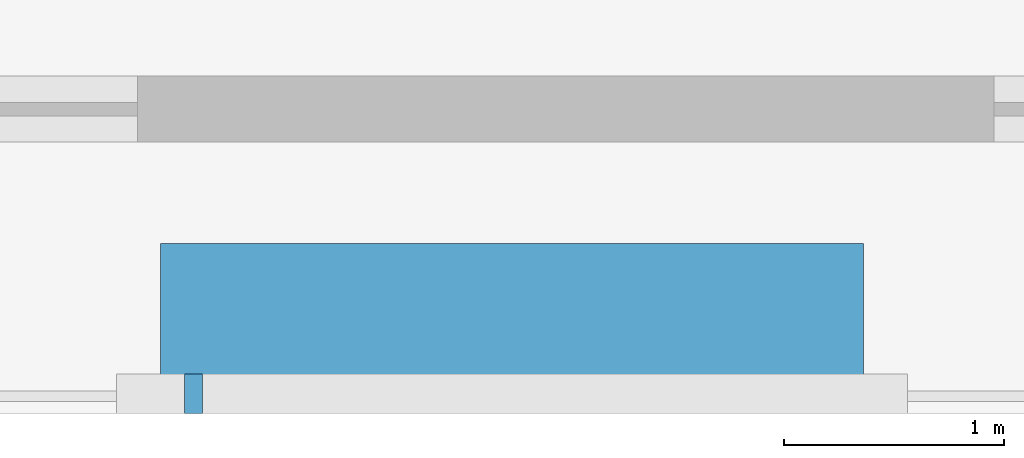
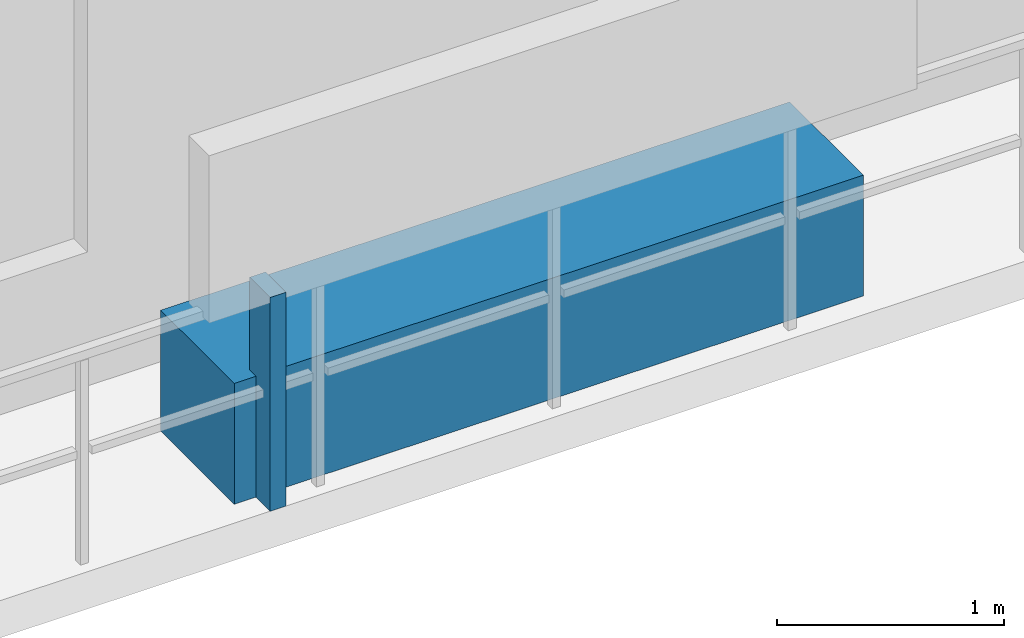
# One storey, part 30 of 35: 2 discrete accessories.
"""IFC4 building model written with IfcOpenShell, lengths in metres."""

from ifc_helpers import new_model, si_unit, direction, frame, origin, origin_2d, place, context, subcontext, project, spatial, rectangle, extrude, material, type_object, element, save


model = new_model("IFC4")

# Units and contexts
model_context = context("Model", 3, precision=1e-05, world=origin(), true_north=direction((0.0, 1.0)))
body_context = subcontext(model_context, "Body", "Model", "MODEL_VIEW")
ifc_project = project(units=[si_unit("LENGTHUNIT", "METRE"), si_unit("AREAUNIT", "SQUARE_METRE"), si_unit("VOLUMEUNIT", "CUBIC_METRE"), si_unit("PLANEANGLEUNIT", "RADIAN"), si_unit("MASSUNIT", "GRAM", prefix="KILO")], contexts=[model_context])

# Site, building, storey
site_placement = place(None, origin())
site = spatial("IfcSite", under=ifc_project, at=site_placement, CompositionType="ELEMENT")
building_placement = place(site_placement, origin())
building = spatial("IfcBuilding", under=site, at=building_placement, Name="Thornwick Lancets Civic Towers", CompositionType="ELEMENT")
storey_placement = place(building_placement, frame((0.0, 0.0, 272.699951171875)))
storey = spatial("IfcBuildingStorey", under=building, at=storey_placement, Name="L73", CompositionType="ELEMENT", Elevation=272.699951171875)

# Discrete accessories
ifc_material_1 = material(Name="Planted terracotta greenery planter", Category="masonry")
discrete_accessory_type_1 = type_object("IfcDiscreteAccessoryType", Name="ACC_PLANTER_BOX", PredefinedType="USERDEFINED", material=ifc_material_1)
discrete_accessory_1_placement = place(storey_placement, frame((25.5, 2.300048828125, 0.0), z_axis=(0.0, 0.0, 1.0), x_axis=(1.0, 0.0, 0.0)))
element("IfcDiscreteAccessory", 1, at=discrete_accessory_1_placement, inside=storey, type_object=discrete_accessory_type_1, Name="L73 Tower A Balcony Greenery Planter S", ObjectType="PLANTER", PredefinedType="USERDEFINED", context=body_context, shape_type="SweptSolid", body=[
    extrude(rectangle(XDim=3.199951171875, YDim=0.64990234375, at=origin_2d()), origin(), (0.0, 0.0, 1.0), 0.64990234375),
])
ifc_material_2 = material(Name="Stainless steel S355", Category="steel")
discrete_accessory_type_2 = type_object("IfcDiscreteAccessoryType", Name="ACC_SCREEN_BRACKET", PredefinedType="BRACKET", material=ifc_material_2)
discrete_accessory_2_placement = place(storey_placement, frame((24.050048828125, 1.93994140625, 0.0), z_axis=(0.0, 0.0, 1.0), x_axis=(1.0, 0.0, 0.0)))
element("IfcDiscreteAccessory", 2, at=discrete_accessory_2_placement, inside=storey, type_object=discrete_accessory_type_2, Name="L73 Tower A Balcony Screen Stanchion Bracket S-1", PredefinedType="BRACKET", context=body_context, shape_type="SweptSolid", body=[
    extrude(rectangle(XDim=0.080078125, YDim=0.179931640625, at=origin_2d()), origin(), (0.0, 0.0, 1.0), 1.14990234375),
])

save(model, "model.ifc")
